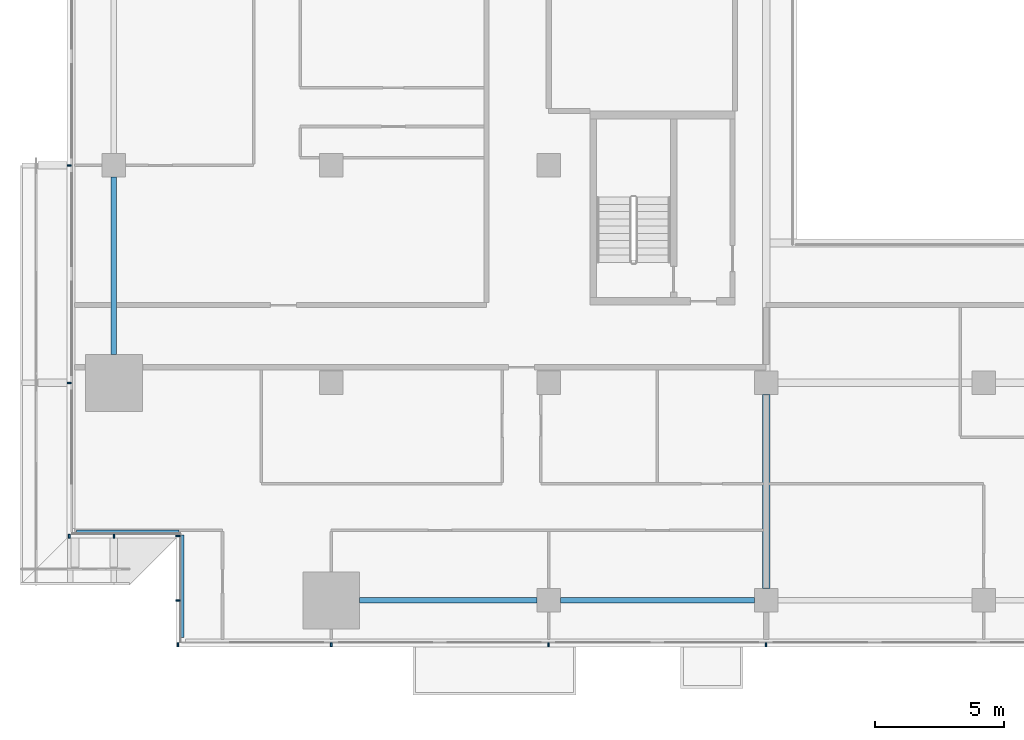
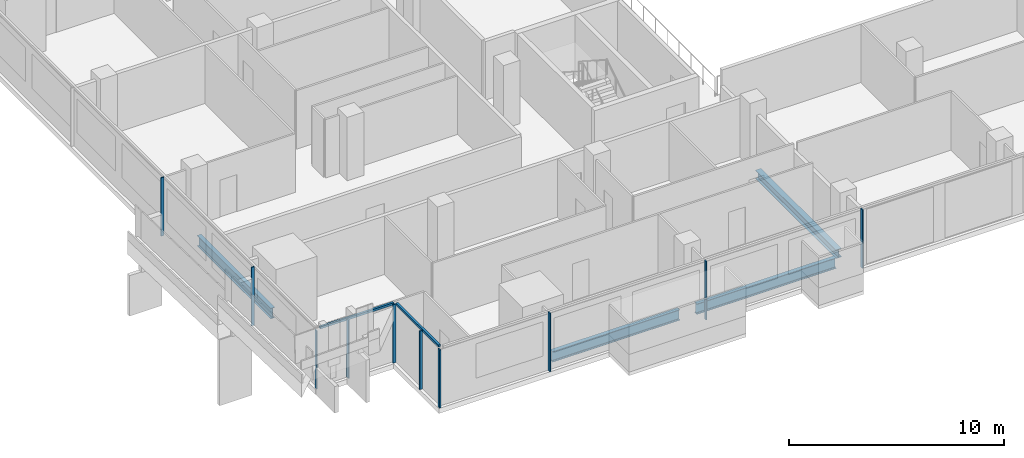
# One storey, part 2 of 29: 12 members, 4 beams, 4 elements without a shape of their own.
"""IFC4 building model written with IfcOpenShell, lengths in metres."""

from ifc_helpers import new_model, si_unit, direction, frame, origin, origin_2d, place, context, subcontext, project, spatial, rectangle, i_section, extrude, material, material_profile, profile_set, type_object, element, aggregate, save


model = new_model("IFC4")

# Units and contexts
model_context = context("Model", 3, precision=1e-05, world=origin(), true_north=direction((0.0, 1.0)))
body_context = subcontext(model_context, "Body", "Model", "MODEL_VIEW")
ifc_project = project(units=[si_unit("LENGTHUNIT", "METRE"), si_unit("AREAUNIT", "SQUARE_METRE"), si_unit("VOLUMEUNIT", "CUBIC_METRE"), si_unit("PLANEANGLEUNIT", "RADIAN"), si_unit("MASSUNIT", "GRAM", prefix="KILO")], contexts=[model_context])

# Site, building, storey
site_placement = place(None, origin())
site = spatial("IfcSite", under=ifc_project, at=site_placement, CompositionType="ELEMENT")
building_placement = place(site_placement, origin())
building = spatial("IfcBuilding", under=site, at=building_placement, Name="Saffron Gate Tower", CompositionType="ELEMENT")
storey_placement = place(building_placement, frame((0.0, 0.0, 55.199951171875)))
storey = spatial("IfcBuildingStorey", under=building, at=storey_placement, Name="L12", CompositionType="ELEMENT", Elevation=55.199951171875)

# Beams
ifc_material_1 = material(Name="Structural steel S355", Category="steel")
ifc_material_profile_1 = material_profile(ifc_material_1, i_section(OverallWidth=0.219970703125, OverallDepth=0.60009765625, WebThickness=0.011962890625, FlangeThickness=0.01904296875, FilletRadius=0.02392578125, at=origin_2d()))
ifc_profile_set_1 = profile_set([ifc_material_profile_1], Name="Structural steel S355")
beam_type_1 = type_object("IfcBeamType", Name="B16 IPE 600", PredefinedType="SPANDREL", material=ifc_profile_set_1)
for number, where, z_axis, x_axis, name in (
    (1, (49.800048828125, 41.300048828125, -0.579833984375), (0.0, 1.0, 0.0), (-1.0, 0.0, 0.0), "B16 SPANDREL BEAM"),
    (2, (59.300048828125, 31.800048828125, -0.579833984375), (1.0, 0.0, 0.0), (0.0, 1.0, 0.0), "B16 SPANDREL BEAM"),
):
    element("IfcBeam", number, at=place(storey_placement, frame(where, z_axis=z_axis, x_axis=x_axis)), inside=storey, type_object=beam_type_1, Name=name, PredefinedType="SPANDREL", context=body_context, shape_type="SweptSolid", body=[
        extrude(i_section(OverallWidth=0.219970703125, OverallDepth=0.60009765625, WebThickness=0.011962890625, FlangeThickness=0.01904296875, FilletRadius=0.02392578125, at=origin_2d()), origin(), (0.0, 0.0, 1.0), 6.849853515625),
    ])
beam_1_placement = place(storey_placement, frame((67.050048828125, 31.800048828125, -0.579833984375), z_axis=(1.0, 0.0, 0.0), x_axis=(0.0, 1.0, 0.0)))
element("IfcBeam", 3, at=beam_1_placement, inside=storey, type_object=beam_type_1, Name="B16 SPANDREL BEAM", PredefinedType="SPANDREL", context=body_context, shape_type="SweptSolid", body=[
    extrude(i_section(OverallWidth=0.219970703125, OverallDepth=0.60009765625, WebThickness=0.011962890625, FlangeThickness=0.01904296875, FilletRadius=0.02392578125, at=origin_2d()), origin(), (0.0, 0.0, 1.0), 7.5),
])
ifc_material_profile_2 = material_profile(ifc_material_1, i_section(OverallWidth=0.300048828125, OverallDepth=0.489990234375, WebThickness=0.011962890625, FlangeThickness=0.02294921875, FilletRadius=0.027099609375, at=origin_2d()))
ifc_profile_set_2 = profile_set([ifc_material_profile_2], Name="Structural steel S355")
beam_type_2 = type_object("IfcBeamType", Name="B8 HEA 500", PredefinedType="BEAM", material=ifc_profile_set_2)
beam_2_placement = place(storey_placement, frame((75.0, 32.25, -0.52490234375), z_axis=(0.0, 1.0, 0.0), x_axis=(-1.0, 0.0, 0.0)))
element("IfcBeam", 4, at=beam_2_placement, inside=storey, type_object=beam_type_2, Name="B8 FLOOR GIRDER", PredefinedType="BEAM", context=body_context, shape_type="SweptSolid", body=[
    extrude(i_section(OverallWidth=0.300048828125, OverallDepth=0.489990234375, WebThickness=0.011962890625, FlangeThickness=0.02294921875, FilletRadius=0.027099609375, at=origin_2d()), origin(), (0.0, 0.0, 1.0), 7.5),
])

# Curtain wall, members
ifc_material_2 = material(Name="Aluminium, bronze anodised", Category="aluminium")
curtain_wall_type_1 = type_object("IfcCurtainWallType", Name="CWS1 curtain wall front facade", PredefinedType="NOTDEFINED", material=ifc_material_2)
curtain_wall_1_placement = place(storey_placement, origin())
curtain_wall_1 = element("IfcCurtainWall", 5, at=curtain_wall_1_placement, inside=storey, type_object=curtain_wall_type_1, Name="CWS1 run 1", PredefinedType="NOTDEFINED")
ifc_material_profile_3 = material_profile(ifc_material_2, rectangle(XDim=0.159912109375, YDim=0.06005859375, at=origin_2d()))
ifc_profile_set_3 = profile_set([ifc_material_profile_3], Name="Aluminium, bronze anodised")
member_type_1 = type_object("IfcMemberType", Name="CWS1 mullion 60x160", PredefinedType="MULLION", material=ifc_profile_set_3)
member_1_placement = place(storey_placement, frame((52.280029296875, 30.080078125, 0.0), z_axis=(0.0, 0.0, 1.0), x_axis=(0.0, 1.0, 0.0)))
member_1 = element("IfcMember", 6, at=member_1_placement, type_object=member_type_1, Name="CWS1 mullion 1", PredefinedType="MULLION", context=body_context, shape_type="SweptSolid", body=[
    extrude(rectangle(XDim=0.159912109375, YDim=0.06005859375, at=origin_2d()), origin(), (0.0, 0.0, 1.0), 3.320068359375),
])
member_2_placement = place(storey_placement, frame((58.199951171875, 30.080078125, 0.0), z_axis=(0.0, 0.0, 1.0), x_axis=(0.0, 1.0, 0.0)))
member_2 = element("IfcMember", 7, at=member_2_placement, type_object=member_type_1, Name="CWS1 mullion 2", PredefinedType="MULLION", context=body_context, shape_type="SweptSolid", body=[
    extrude(rectangle(XDim=0.159912109375, YDim=0.06005859375, at=origin_2d()), origin(), (0.0, 0.0, 1.0), 3.320068359375),
])
member_3_placement = place(storey_placement, frame((66.60009765625, 30.080078125, 0.0), z_axis=(0.0, 0.0, 1.0), x_axis=(0.0, 1.0, 0.0)))
member_3 = element("IfcMember", 8, at=member_3_placement, type_object=member_type_1, Name="CWS1 mullion 3", PredefinedType="MULLION", context=body_context, shape_type="SweptSolid", body=[
    extrude(rectangle(XDim=0.159912109375, YDim=0.06005859375, at=origin_2d()), origin(), (0.0, 0.0, 1.0), 3.320068359375),
])
member_4_placement = place(storey_placement, frame((75.0, 30.080078125, 0.0), z_axis=(0.0, 0.0, 1.0), x_axis=(0.0, 1.0, 0.0)))
member_4 = element("IfcMember", 9, at=member_4_placement, type_object=member_type_1, Name="CWS1 mullion 4", PredefinedType="MULLION", context=body_context, shape_type="SweptSolid", body=[
    extrude(rectangle(XDim=0.159912109375, YDim=0.06005859375, at=origin_2d()), origin(), (0.0, 0.0, 1.0), 3.320068359375),
])
aggregate(curtain_wall_1, [member_1, member_2, member_3, member_4])

curtain_wall_type_2 = type_object("IfcCurtainWallType", Name="CWS2 curtain wall side facades", PredefinedType="NOTDEFINED", material=ifc_material_2)
curtain_wall_2_placement = place(storey_placement, origin())
curtain_wall_2 = element("IfcCurtainWall", 10, at=curtain_wall_2_placement, inside=storey, type_object=curtain_wall_type_2, Name="CWS2 run 10", PredefinedType="NOTDEFINED")
ifc_material_profile_4 = material_profile(ifc_material_2, rectangle(XDim=0.159912109375, YDim=0.06005859375, at=origin_2d()))
ifc_profile_set_4 = profile_set([ifc_material_profile_4], Name="Aluminium, bronze anodised")
member_type_2 = type_object("IfcMemberType", Name="CWS2 mullion 60x160", PredefinedType="MULLION", material=ifc_profile_set_4)
member_5_placement = place(storey_placement, frame((48.080078125, 48.60009765625, 0.0), z_axis=(0.0, 0.0, 1.0), x_axis=(1.0, 0.0, 0.0)))
member_5 = element("IfcMember", 11, at=member_5_placement, type_object=member_type_2, Name="CWS2 mullion 4", PredefinedType="MULLION", context=body_context, shape_type="SweptSolid", body=[
    extrude(rectangle(XDim=0.159912109375, YDim=0.06005859375, at=origin_2d()), origin(), (0.0, 0.0, 1.0), 3.320068359375),
])
member_6_placement = place(storey_placement, frame((48.080078125, 40.199951171875, 0.0), z_axis=(0.0, 0.0, 1.0), x_axis=(1.0, 0.0, 0.0)))
member_6 = element("IfcMember", 12, at=member_6_placement, type_object=member_type_2, Name="CWS2 mullion 5", PredefinedType="MULLION", context=body_context, shape_type="SweptSolid", body=[
    extrude(rectangle(XDim=0.159912109375, YDim=0.06005859375, at=origin_2d()), origin(), (0.0, 0.0, 1.0), 3.320068359375),
])
aggregate(curtain_wall_2, [member_5, member_6])

# Curtain wall, member
curtain_wall_type_3 = type_object("IfcCurtainWallType", Name="CWS4 curtain wall corner returns", PredefinedType="NOTDEFINED", material=ifc_material_2)
curtain_wall_3_placement = place(storey_placement, origin())
curtain_wall_3 = element("IfcCurtainWall", 13, at=curtain_wall_3_placement, inside=storey, type_object=curtain_wall_type_3, Name="CWS4 run 11", PredefinedType="NOTDEFINED")
ifc_material_profile_5 = material_profile(ifc_material_2, rectangle(XDim=0.1201171875, YDim=0.1201171875, at=origin_2d()))
ifc_profile_set_5 = profile_set([ifc_material_profile_5], Name="Aluminium, bronze anodised")
member_type_3 = type_object("IfcMemberType", Name="CWS4 head transom", PredefinedType="USERDEFINED", material=ifc_profile_set_5)
member_7_placement = place(storey_placement, frame((48.367919921875, 34.447998046875, 3.260009765625), z_axis=(1.0, 0.0, 0.0), x_axis=(0.0, 1.0, 0.0)))
member_7 = element("IfcMember", 14, at=member_7_placement, type_object=member_type_3, Name="CWS4 head transom", ObjectType="TRANSOM", PredefinedType="USERDEFINED", context=body_context, shape_type="SweptSolid", body=[
    extrude(rectangle(XDim=0.1201171875, YDim=0.1201171875, at=origin_2d()), origin(), (0.0, 0.0, 1.0), 3.9599609375),
])

curtain_wall_4_placement = place(storey_placement, origin())
curtain_wall_4 = element("IfcCurtainWall", 15, at=curtain_wall_4_placement, inside=storey, type_object=curtain_wall_type_3, Name="CWS4 run 12", PredefinedType="NOTDEFINED")
member_8_placement = place(storey_placement, frame((52.447998046875, 34.327880859375, 3.260009765625), z_axis=(0.0, -1.0, 0.0), x_axis=(1.0, 0.0, 0.0)))
member_8 = element("IfcMember", 16, at=member_8_placement, type_object=member_type_3, Name="CWS4 head transom", ObjectType="TRANSOM", PredefinedType="USERDEFINED", context=body_context, shape_type="SweptSolid", body=[
    extrude(rectangle(XDim=0.1201171875, YDim=0.1201171875, at=origin_2d()), origin(), (0.0, 0.0, 1.0), 3.9599609375),
])

# Member
ifc_material_profile_6 = material_profile(ifc_material_2, rectangle(XDim=0.159912109375, YDim=0.06005859375, at=origin_2d()))
ifc_profile_set_6 = profile_set([ifc_material_profile_6], Name="Aluminium, bronze anodised")
member_type_4 = type_object("IfcMemberType", Name="CWS4 mullion 60x160", PredefinedType="MULLION", material=ifc_profile_set_6)
member_9_placement = place(storey_placement, frame((48.080078125, 34.280029296875, 0.0), z_axis=(0.0, 0.0, 1.0), x_axis=(0.0, 1.0, 0.0)))
member_9 = element("IfcMember", 17, at=member_9_placement, type_object=member_type_4, Name="CWS4 mullion 1", PredefinedType="MULLION", context=body_context, shape_type="SweptSolid", body=[
    extrude(rectangle(XDim=0.159912109375, YDim=0.06005859375, at=origin_2d()), origin(), (0.0, 0.0, 1.0), 3.320068359375),
])

member_10_placement = place(storey_placement, frame((49.800048828125, 34.280029296875, 0.0), z_axis=(0.0, 0.0, 1.0), x_axis=(0.0, 1.0, 0.0)))
member_10 = element("IfcMember", 18, at=member_10_placement, type_object=member_type_4, Name="CWS4 mullion 2", PredefinedType="MULLION", context=body_context, shape_type="SweptSolid", body=[
    extrude(rectangle(XDim=0.159912109375, YDim=0.06005859375, at=origin_2d()), origin(), (0.0, 0.0, 1.0), 3.320068359375),
])

aggregate(curtain_wall_3, [member_9, member_10, member_7])

member_11_placement = place(storey_placement, frame((52.280029296875, 34.280029296875, 0.0), z_axis=(0.0, 0.0, 1.0), x_axis=(1.0, 0.0, 0.0)))
member_11 = element("IfcMember", 19, at=member_11_placement, type_object=member_type_4, Name="CWS4 mullion 1", PredefinedType="MULLION", context=body_context, shape_type="SweptSolid", body=[
    extrude(rectangle(XDim=0.159912109375, YDim=0.06005859375, at=origin_2d()), origin(), (0.0, 0.0, 1.0), 3.320068359375),
])

member_12_placement = place(storey_placement, frame((52.280029296875, 31.800048828125, 0.0), z_axis=(0.0, 0.0, 1.0), x_axis=(1.0, 0.0, 0.0)))
member_12 = element("IfcMember", 20, at=member_12_placement, type_object=member_type_4, Name="CWS4 mullion 2", PredefinedType="MULLION", context=body_context, shape_type="SweptSolid", body=[
    extrude(rectangle(XDim=0.159912109375, YDim=0.06005859375, at=origin_2d()), origin(), (0.0, 0.0, 1.0), 3.320068359375),
])

aggregate(curtain_wall_4, [member_11, member_12, member_8])

save(model, "model.ifc")
